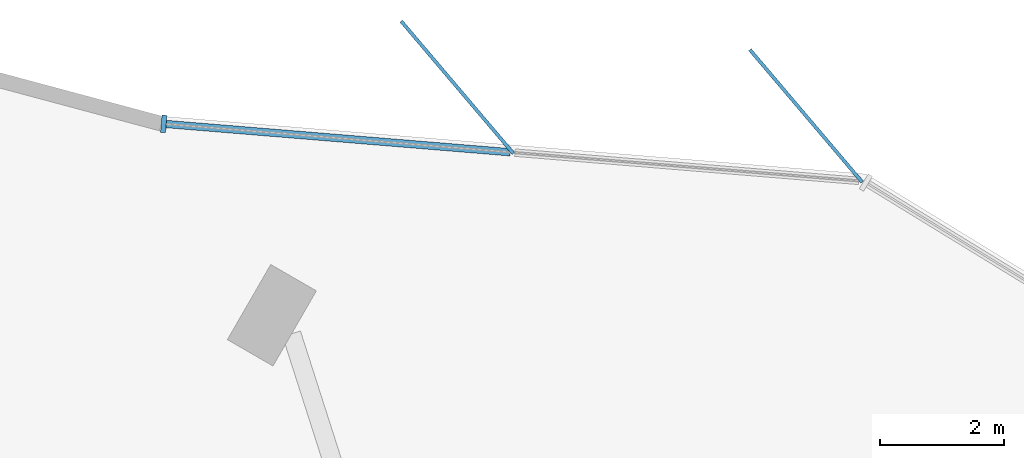
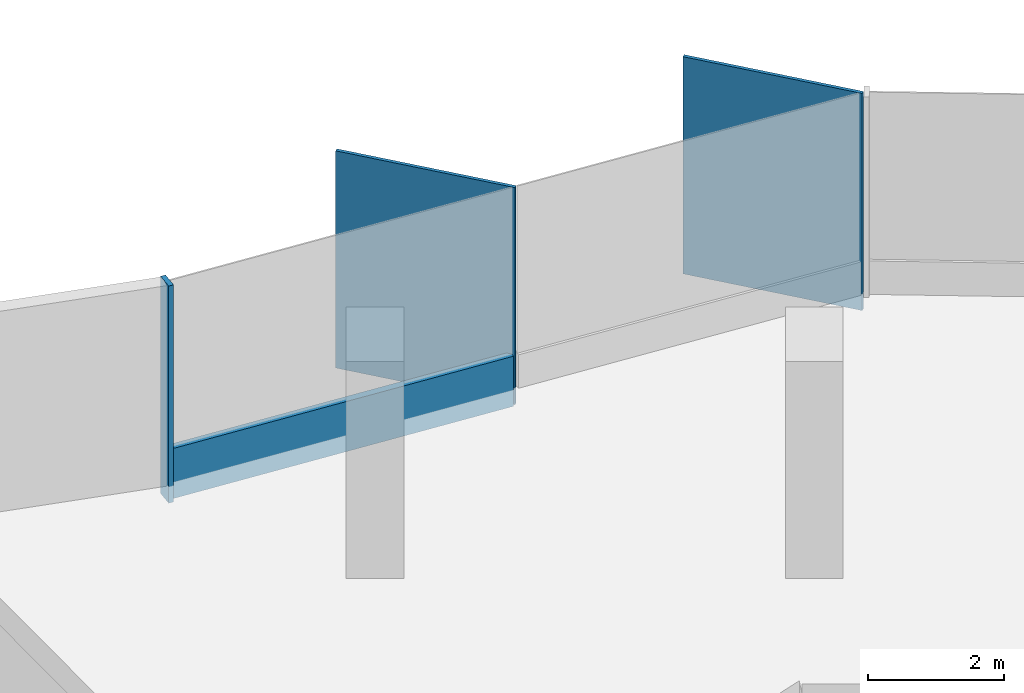
# One storey, part 6 of 13: 4 members, 1 element without a shape of its own.
"""IFC4 building model written with IfcOpenShell, lengths in metres."""

from ifc_helpers import new_model, si_unit, direction, frame, origin, origin_2d, place, context, subcontext, project, spatial, rectangle, extrude, material, material_profile, profile_set, type_object, element, aggregate, save


model = new_model("IFC4")

# Units and contexts
model_context = context("Model", 3, precision=1e-05, world=origin(), true_north=direction((0.0, 1.0)))
body_context = subcontext(model_context, "Body", "Model", "MODEL_VIEW")
ifc_project = project(units=[si_unit("LENGTHUNIT", "METRE"), si_unit("AREAUNIT", "SQUARE_METRE"), si_unit("VOLUMEUNIT", "CUBIC_METRE"), si_unit("PLANEANGLEUNIT", "RADIAN"), si_unit("MASSUNIT", "GRAM", prefix="KILO")], contexts=[model_context])

# Site, building, storey
site_placement = place(None, origin())
site = spatial("IfcSite", under=ifc_project, at=site_placement, CompositionType="ELEMENT")
building_placement = place(site_placement, origin())
building = spatial("IfcBuilding", under=site, at=building_placement, Name="Tanit Gate Tower", CompositionType="ELEMENT")
storey_placement = place(building_placement, frame((0.0, 0.0, 322.10009765625)))
storey = spatial("IfcBuildingStorey", under=building, at=storey_placement, Name="L72", CompositionType="ELEMENT", Elevation=322.10009765625)

# Curtain wall, members
ifc_material_1 = material(Name="Aluminium bronze anodised and glass", Category="aluminium")
curtain_wall_type = type_object("IfcCurtainWallType", Name="Curtain wall typical high", PredefinedType="NOTDEFINED", material=ifc_material_1)
curtain_wall_placement = place(storey_placement, origin())
curtain_wall = element("IfcCurtainWall", 1, at=curtain_wall_placement, inside=storey, type_object=curtain_wall_type, Name="Curtain wall L72 NE3", PredefinedType="NOTDEFINED")
ifc_material_2 = material(Name="Aluminium bronze anodised", Category="aluminium")
ifc_material_profile_1 = material_profile(ifc_material_2, rectangle(XDim=2.800048828125, YDim=0.055908203125, at=origin_2d()), Name="56x2800 bronze fin mullion")
ifc_profile_set_1 = profile_set([ifc_material_profile_1], Name="Aluminium bronze anodised")
member_type_1 = type_object("IfcMemberType", Name="FIN MULLION 56x2800 bronze", PredefinedType="MULLION", material=ifc_profile_set_1)
member_1_placement = place(storey_placement, frame((-0.837646484375, 32.079345703125, -0.300048828125), z_axis=(0.0, 0.0, 1.0), x_axis=(0.646872821533, -0.762597897166, 0.0)))
member_1 = element("IfcMember", 2, at=member_1_placement, type_object=member_type_1, Name="Fin mullion L72 NE3.1", PredefinedType="MULLION", context=body_context, shape_type="SweptSolid", body=[
    extrude(rectangle(XDim=2.800048828125, YDim=0.055908203125, at=origin_2d()), origin(), (0.0, 0.0, 1.0), 3.89990234375),
])
member_2_placement = place(storey_placement, frame((-6.46826171875, 32.54150390625, -0.300048828125), z_axis=(0.0, 0.0, 1.0), x_axis=(0.646872821533, -0.762597897166, 0.0)))
member_2 = element("IfcMember", 3, at=member_2_placement, type_object=member_type_1, Name="Fin mullion L72 NE3.2", PredefinedType="MULLION", context=body_context, shape_type="SweptSolid", body=[
    extrude(rectangle(XDim=2.800048828125, YDim=0.055908203125, at=origin_2d()), origin(), (0.0, 0.0, 1.0), 3.89990234375),
])
ifc_material_3 = material(Name="Aluminium bronze anodised", Category="aluminium")
ifc_material_profile_2 = material_profile(ifc_material_3, rectangle(XDim=0.280029296875, YDim=0.080078125, at=origin_2d()), Name="80x280 bronze mullion")
ifc_profile_set_2 = profile_set([ifc_material_profile_2], Name="Aluminium bronze anodised")
member_type_2 = type_object("IfcMemberType", Name="Mullion 80x280 typical high", PredefinedType="MULLION", material=ifc_profile_set_2)
member_3_placement = place(storey_placement, frame((-11.2060546875, 31.951171875, -0.300048828125), z_axis=(0.0, 0.0, 1.0), x_axis=(-0.081829985733, -0.996646303076, 0.0)))
member_3 = element("IfcMember", 4, at=member_3_placement, type_object=member_type_2, Name="Mullion L72 NE3.3", PredefinedType="MULLION", context=body_context, shape_type="SweptSolid", body=[
    extrude(rectangle(XDim=0.280029296875, YDim=0.080078125, at=origin_2d()), origin(), (0.0, 0.0, 1.0), 3.89990234375),
])
ifc_material_4 = material(Name="Aluminium bronze anodised", Category="aluminium")
ifc_material_profile_3 = material_profile(ifc_material_4, rectangle(XDim=0.1201171875, YDim=0.89990234375, at=origin_2d()), Name="120x900 bronze transom")
ifc_profile_set_3 = profile_set([ifc_material_profile_3], Name="Aluminium bronze anodised")
member_type_3 = type_object("IfcMemberType", Name="Transom 120x900 typical high", PredefinedType="USERDEFINED", material=ifc_profile_set_3)
member_4_placement = place(storey_placement, frame((-5.615234375, 31.4921875, 0.14990234375), z_axis=(-0.996645398744, 0.081840999272, 0.0), x_axis=(-0.081840999272, -0.996645398744, 0.0)))
member_4 = element("IfcMember", 5, at=member_4_placement, type_object=member_type_3, Name="Transom L72 NE3.2", ObjectType="TRANSOM", PredefinedType="USERDEFINED", context=body_context, shape_type="SweptSolid", body=[
    extrude(rectangle(XDim=0.1201171875, YDim=0.89990234375, at=origin_2d()), origin(), (0.0, 0.0, 1.0), 5.569580078125),
])
aggregate(curtain_wall, [member_1, member_2, member_3, member_4])

save(model, "model.ifc")
